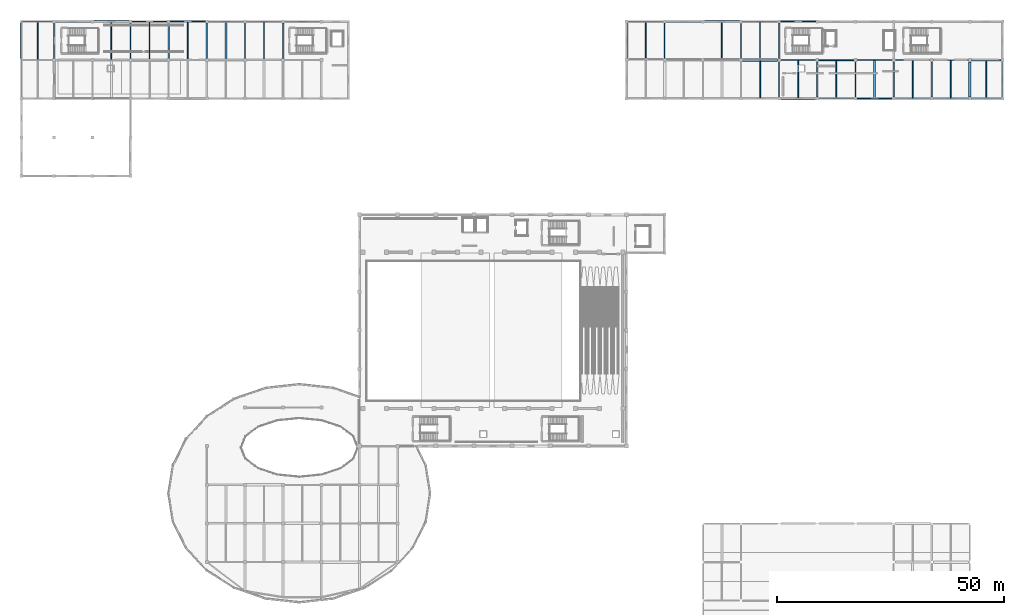
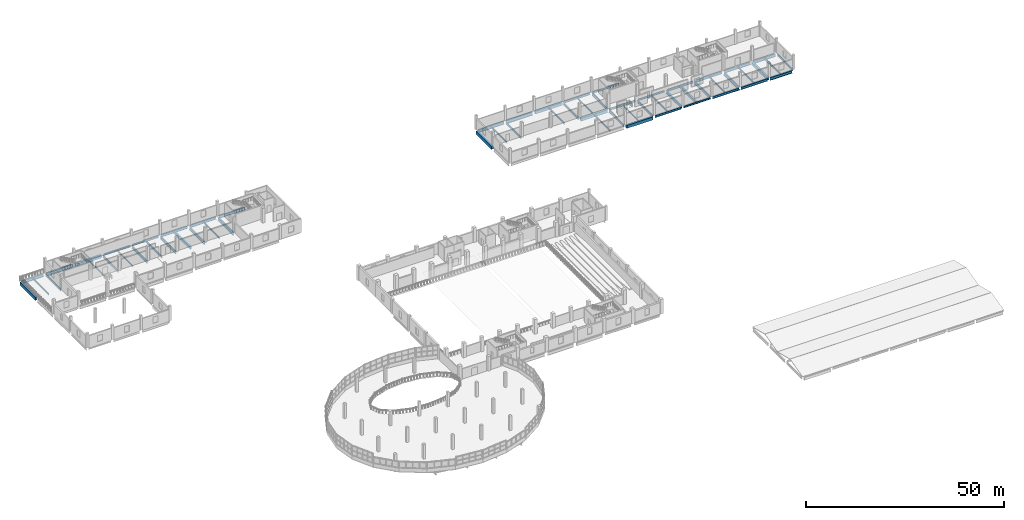
# One storey, part 30 of 50: 60 beams.
"""IFC4 building model written with IfcOpenShell, lengths in metres."""

import ifcopenshell
import ifcopenshell.guid

model = None  # the IFC model being written
_history = None  # IfcOwnerHistory: only IFC2X3 demands one
_inside = {}  # id of a spatial element -> (the spatial element, [elements in it])
_under = {}  # id of a project, library or spatial element -> (it, [spatial elements below it])
_declared = {}  # id of a project -> (the project, [libraries it declares])
_typed = {}  # id of a type object -> (the type object, [elements of that type])
_made_of = {}  # id of a material, layer set ... -> (it, [elements and type objects made of it])


def new_model(schema):
    """Start an empty IFC model of exactly this schema.

    Asked for "IFC4X3", IfcOpenShell would pick the latest addendum, in which some entities
    have other attributes; the version numbers below select the first issue.
    IFC2X3 requires an IfcOwnerHistory on every rooted entity: one is made here for all.
    """
    global model, _history
    if schema == "IFC4X3":
        model = ifcopenshell.file(schema_version=(4, 3, 0, 0))
    else:
        model = ifcopenshell.file(schema=schema)
    _inside.clear()
    _under.clear()
    _declared.clear()
    _typed.clear()
    _made_of.clear()
    _history = None
    if model.schema == "IFC2X3":
        org = make("IfcOrganization", Name="unknown")
        user = make(
            "IfcPersonAndOrganization",
            ThePerson=make("IfcPerson", FamilyName="unknown"),
            TheOrganization=org,
        )
        app = make(
            "IfcApplication",
            ApplicationDeveloper=org,
            Version="unknown",
            ApplicationFullName="unknown",
            ApplicationIdentifier="unknown",
        )
        _history = make(
            "IfcOwnerHistory",
            OwningUser=user,
            OwningApplication=app,
            ChangeAction="ADDED",
            CreationDate=0,
        )
    return model


def make(cls, **values):
    """One entity of the class cls with the attributes given. An attribute that is None is left unset."""
    return model.create_entity(
        cls, **{name: value for name, value in values.items() if value is not None}
    )


def rooted(cls, **values):
    """An entity with a GlobalId (a new one), such as an element, a storey or a relation."""
    return make(cls, GlobalId=ifcopenshell.guid.new(), OwnerHistory=_history, **values)


def si_unit(unit_type, name, prefix=None):
    """IfcSIUnit, for example si_unit("LENGTHUNIT", "METRE", prefix="MILLI")."""
    return make("IfcSIUnit", UnitType=unit_type, Prefix=prefix, Name=name)


def assignment(units):
    """IfcUnitAssignment: the units of a project."""
    return None if units is None else make("IfcUnitAssignment", Units=units)


def point(xyz):
    """IfcCartesianPoint."""
    return None if xyz is None else make("IfcCartesianPoint", Coordinates=xyz)


def direction(xyz):
    """IfcDirection."""
    return None if xyz is None else make("IfcDirection", DirectionRatios=xyz)


def frame(location, z_axis=None, x_axis=None):
    """IfcAxis2Placement3D, a coordinate frame: its origin and axes. An axis left out is left unset."""
    return make(
        "IfcAxis2Placement3D",
        Location=point(location),
        Axis=direction(z_axis),
        RefDirection=direction(x_axis),
    )


def frame_2d(location, x_axis=None):
    """IfcAxis2Placement2D, a coordinate frame in the plane: its origin and x axis."""
    return make(
        "IfcAxis2Placement2D", Location=point(location), RefDirection=direction(x_axis)
    )


def origin():
    """The frame at (0, 0, 0) with its axes left unset."""
    return frame((0.0, 0.0, 0.0))


def origin_2d():
    """The frame at (0, 0) in the plane with its x axis left unset."""
    return frame_2d((0.0, 0.0))


def place(relative_to, where):
    """IfcLocalPlacement: puts the frame where relative to a parent placement (None: the world)."""
    return make(
        "IfcLocalPlacement", PlacementRelTo=relative_to, RelativePlacement=where
    )


def context(
    kind, dimensions, precision=None, world=None, true_north=None, identifier=None
):
    """IfcGeometricRepresentationContext, for example the 3D "Model" context."""
    return make(
        "IfcGeometricRepresentationContext",
        ContextIdentifier=identifier,
        ContextType=kind,
        CoordinateSpaceDimension=dimensions,
        Precision=precision,
        WorldCoordinateSystem=world,
        TrueNorth=true_north,
    )


def subcontext(parent, identifier, kind, view, scale=None):
    """IfcGeometricRepresentationSubContext, for example "Body" below "Model"."""
    return make(
        "IfcGeometricRepresentationSubContext",
        ContextIdentifier=identifier,
        ContextType=kind,
        ParentContext=parent,
        TargetScale=scale,
        TargetView=view,
    )


def project(units=None, contexts=None):
    """IfcProject with its units and contexts."""
    return rooted(
        "IfcProject",
        Name="project",
        RepresentationContexts=contexts,
        UnitsInContext=assignment(units),
    )


def spatial(cls, under=None, at=None, **own):
    """A site, building, storey or space (cls), placed at a placement, below another one or the project."""
    s = rooted(cls, ObjectPlacement=at, **own)
    if under is not None:
        _under.setdefault(under.id(), (under, []))[1].append(s)
    return s


def profile(cls, at=None, kind="AREA", **sizes):
    """A parametric profile (cls). Its sizes go by their IFC names, for example OverallWidth=200.0."""
    return make(cls, ProfileType=kind, Position=at, **sizes)


def rectangle(**sizes):
    """IfcRectangleProfileDef."""
    return profile("IfcRectangleProfileDef", **sizes)


def i_section(**sizes):
    """IfcIShapeProfileDef."""
    return profile("IfcIShapeProfileDef", **sizes)


def extrude(swept, where, along, depth):
    """IfcExtrudedAreaSolid: the profile swept, set in the frame where, extruded along a direction by depth."""
    return make(
        "IfcExtrudedAreaSolid",
        SweptArea=swept,
        Position=where,
        ExtrudedDirection=direction(along),
        Depth=depth,
    )


def shape(context_of_items, identifier, shape_type, items):
    """IfcShapeRepresentation: the items that make up one representation, for example the "Body"."""
    return make(
        "IfcShapeRepresentation",
        ContextOfItems=context_of_items,
        RepresentationIdentifier=identifier,
        RepresentationType=shape_type,
        Items=items,
    )


def material(Name=None, Category=None):
    """IfcMaterial."""
    return make("IfcMaterial", Name=Name, Category=Category)


def material_profile(
    of_material, cross_section, Name=None, Category=None, Priority=None
):
    """IfcMaterialProfile: a cross section and its material."""
    return make(
        "IfcMaterialProfile",
        Name=Name,
        Material=of_material,
        Profile=cross_section,
        Priority=Priority,
        Category=Category,
    )


def profile_set(profiles, Name=None, composite=None):
    """IfcMaterialProfileSet."""
    return make(
        "IfcMaterialProfileSet",
        Name=Name,
        MaterialProfiles=profiles,
        CompositeProfile=composite,
    )


def made_of(thing, what):
    """Note that an element or type object is made of a material, layer set ...; save() writes the relation."""
    if what is not None:
        _made_of.setdefault(what.id(), (what, []))[1].append(thing)
    return thing


def type_object(cls, material=None, **own):
    """A type object (cls), such as IfcWallType, which elements share."""
    return made_of(rooted(cls, **own), material)


def element(
    cls,
    number,
    at=None,
    inside=None,
    cuts=None,
    type_object=None,
    material=None,
    context=None,
    identifier="Body",
    shape_type=None,
    held_by="IfcProductDefinitionShape",
    body=None,
    shapes=None,
    **own,
):
    """One element of the class cls, such as IfcWall. Its Tag is "e" and its number.

    at: its placement. inside: the storey or other place that contains it. cuts: it is an
    opening in that element (IfcRelVoidsElement). A single representation is given by context,
    identifier, shape_type and body (its items); several are given by shapes. held_by: the class
    of the entity that holds the representations. save() writes the other relations.
    """
    e = rooted(cls, Tag="e%d" % number, ObjectPlacement=at, **own)
    if body is not None:
        shapes = [shape(context, identifier, shape_type, body)]
    if shapes is not None:
        e.Representation = make(held_by, Representations=shapes)
    if inside is not None:
        _inside.setdefault(inside.id(), (inside, []))[1].append(e)
    if cuts is not None:
        rooted(
            "IfcRelVoidsElement", RelatingBuildingElement=cuts, RelatedOpeningElement=e
        )
    if type_object is not None:
        _typed.setdefault(type_object.id(), (type_object, []))[1].append(e)
    return made_of(e, material)


def aggregate(whole, parts):
    """IfcRelAggregates: a whole, such as a stair, and the parts it consists of."""
    return rooted("IfcRelAggregates", RelatingObject=whole, RelatedObjects=parts)


def save(model, path):
    """Write the relations noted so far, then the file.

    IfcRelAggregates (storeys below a building ...), IfcRelContainedInSpatialStructure (elements
    in a storey), IfcRelDefinesByType, IfcRelAssociatesMaterial and IfcRelDeclares: one each for
    every whole, place, type object, material and project.
    """
    for whole, parts in _under.values():
        aggregate(whole, parts)
    for where, things in _inside.values():
        rooted(
            "IfcRelContainedInSpatialStructure",
            RelatedElements=things,
            RelatingStructure=where,
        )
    for kind, things in _typed.values():
        rooted("IfcRelDefinesByType", RelatedObjects=things, RelatingType=kind)
    for what, things in _made_of.values():
        rooted("IfcRelAssociatesMaterial", RelatedObjects=things, RelatingMaterial=what)
    for by, libraries in _declared.values():
        rooted("IfcRelDeclares", RelatingContext=by, RelatedDefinitions=libraries)
    model.write(path)


model = new_model("IFC4")

# Units and contexts
model_context = context("Model", 3, precision=1e-05, world=origin(), true_north=direction((0.0, 1.0)))
body_context = subcontext(model_context, "Body", "Model", "MODEL_VIEW")
ifc_project = project(units=[si_unit("LENGTHUNIT", "METRE"), si_unit("AREAUNIT", "SQUARE_METRE"), si_unit("VOLUMEUNIT", "CUBIC_METRE"), si_unit("PLANEANGLEUNIT", "RADIAN"), si_unit("MASSUNIT", "GRAM", prefix="KILO")], contexts=[model_context])

# Site, building, storey
site_placement = place(None, origin())
site = spatial("IfcSite", under=ifc_project, at=site_placement, CompositionType="ELEMENT")
building_placement = place(site_placement, origin())
building = spatial("IfcBuilding", under=site, at=building_placement, Name="Solvento Point Concert Hall", CompositionType="ELEMENT")
storey_placement = place(building_placement, frame((0.0, 0.0, 15.0)))
storey = spatial("IfcBuildingStorey", under=building, at=storey_placement, Name="L03", CompositionType="ELEMENT", Elevation=15.0)

# Beams
ifc_material_1 = material(Name="Concrete C35/45", Category="concrete")
ifc_material_profile_1 = material_profile(ifc_material_1, rectangle(XDim=0.449951171875, YDim=0.75, at=origin_2d()), Name="RC-BM-450X750")
ifc_profile_set_1 = profile_set([ifc_material_profile_1], Name="Concrete C35/45")
beam_type_1 = type_object("IfcBeamType", Name="Beam_RC_450x750", PredefinedType="BEAM", material=ifc_profile_set_1)
for number, where, z_axis, x_axis, name in (
    (1, (45.0, 127.592041015625, -0.68896484375), (0.0, 1.0, 0.0), (-1.0, 0.0, 0.0), "Secondary floor joist B-28 L03"),
    (2, (187.800048828125, 119.092041015625, -0.638916015625), (0.0, 1.0, 0.0), (-1.0, 0.0, 0.0), "Secondary floor joist B-28 L03"),
):
    element("IfcBeam", number, at=place(storey_placement, frame(where, z_axis=z_axis, x_axis=x_axis)), inside=storey, type_object=beam_type_1, Name=name, PredefinedType="BEAM", context=body_context, shape_type="SweptSolid", body=[
        extrude(rectangle(XDim=0.449951171875, YDim=0.75, at=origin_2d()), origin(), (0.0, 0.0, 1.0), 8.294921875),
    ])
ifc_material_2 = material(Name="Structural Steel ASTM A992 Grade 50", Category="steel")
ifc_material_profile_2 = material_profile(ifc_material_2, i_section(OverallWidth=0.20947265625, OverallDepth=0.532958984375, WebThickness=0.01025390625, FlangeThickness=0.015625, at=origin_2d()), Name="W21X62")
ifc_profile_set_2 = profile_set([ifc_material_profile_2], Name="Structural Steel ASTM A992 Grade 50")
beam_type_2 = type_object("IfcBeamType", Name="Beam_W21X62", PredefinedType="BEAM", material=ifc_profile_set_2)
beam_1_placement = place(storey_placement, frame((3.60009765625, 127.631103515625, -0.510498046875), z_axis=(0.0, 1.0, 0.0), x_axis=(-1.0, 0.0, 0.0)))
element("IfcBeam", 3, at=beam_1_placement, inside=storey, type_object=beam_type_2, Name="Secondary floor joist B-25 L03", PredefinedType="BEAM", context=body_context, shape_type="SweptSolid", body=[
    extrude(i_section(OverallWidth=0.20947265625, OverallDepth=0.532958984375, WebThickness=0.01025390625, FlangeThickness=0.015625, at=origin_2d()), origin(), (0.0, 0.0, 1.0), 8.22998046875),
])
beam_2_placement = place(storey_placement, frame((36.60009765625, 127.59912109375, -0.58056640625), z_axis=(0.0, 1.0, 0.0), x_axis=(-1.0, 0.0, 0.0)))
element("IfcBeam", 4, at=beam_2_placement, inside=storey, type_object=beam_type_2, Name="Secondary floor joist B-25 L03", PredefinedType="BEAM", context=body_context, shape_type="SweptSolid", body=[
    extrude(i_section(OverallWidth=0.20947265625, OverallDepth=0.532958984375, WebThickness=0.01025390625, FlangeThickness=0.015625, at=origin_2d()), origin(), (0.0, 0.0, 1.0), 8.308837890625),
])
beam_3_placement = place(storey_placement, frame((137.39990234375, 127.631103515625, -0.530517578125), z_axis=(0.0, 1.0, 0.0), x_axis=(-1.0, 0.0, 0.0)))
element("IfcBeam", 5, at=beam_3_placement, inside=storey, type_object=beam_type_2, Name="Secondary floor joist B-25 L03", PredefinedType="BEAM", context=body_context, shape_type="SweptSolid", body=[
    extrude(i_section(OverallWidth=0.20947265625, OverallDepth=0.532958984375, WebThickness=0.01025390625, FlangeThickness=0.015625, at=origin_2d()), origin(), (0.0, 0.0, 1.0), 8.22998046875),
])
beam_4_placement = place(storey_placement, frame((179.39990234375, 119.09912109375, -0.530517578125), z_axis=(0.0, 1.0, 0.0), x_axis=(-1.0, 0.0, 0.0)))
element("IfcBeam", 6, at=beam_4_placement, inside=storey, type_object=beam_type_2, Name="Secondary floor joist B-25 L03", PredefinedType="BEAM", context=body_context, shape_type="SweptSolid", body=[
    extrude(i_section(OverallWidth=0.20947265625, OverallDepth=0.532958984375, WebThickness=0.01025390625, FlangeThickness=0.015625, at=origin_2d()), origin(), (0.0, 0.0, 1.0), 8.308837890625),
])
beam_5_placement = place(storey_placement, frame((212.39990234375, 119.131103515625, -0.530517578125), z_axis=(0.0, 1.0, 0.0), x_axis=(-1.0, 0.0, 0.0)))
element("IfcBeam", 7, at=beam_5_placement, inside=storey, type_object=beam_type_2, Name="Secondary floor joist B-25 L03", PredefinedType="BEAM", context=body_context, shape_type="SweptSolid", body=[
    extrude(i_section(OverallWidth=0.20947265625, OverallDepth=0.532958984375, WebThickness=0.01025390625, FlangeThickness=0.015625, at=origin_2d()), origin(), (0.0, 0.0, 1.0), 8.22998046875),
])
ifc_material_3 = material(Name="Structural Steel ASTM A992 Grade 50", Category="steel")
ifc_material_profile_3 = material_profile(ifc_material_3, i_section(OverallWidth=0.214111328125, OverallDepth=0.549072265625, WebThickness=0.0146484375, FlangeThickness=0.023681640625, at=origin_2d()), Name="W21X93")
ifc_profile_set_3 = profile_set([ifc_material_profile_3], Name="Structural Steel ASTM A992 Grade 50")
beam_type_3 = type_object("IfcBeamType", Name="Beam_W21X93", PredefinedType="BEAM", material=ifc_profile_set_3)
beam_6_placement = place(storey_placement, frame((183.968994140625, 119.0, -0.53857421875), z_axis=(1.0, 0.0, 0.0), x_axis=(0.0, 1.0, 0.0)))
element("IfcBeam", 8, at=beam_6_placement, inside=storey, type_object=beam_type_3, Name="Primary girder B-48 L03", PredefinedType="BEAM", context=body_context, shape_type="SweptSolid", body=[
    extrude(i_section(OverallWidth=0.214111328125, OverallDepth=0.549072265625, WebThickness=0.0146484375, FlangeThickness=0.023681640625, at=origin_2d()), origin(), (0.0, 0.0, 1.0), 7.662109375),
])
beam_7_placement = place(storey_placement, frame((175.569091796875, 127.5, -0.53857421875), z_axis=(1.0, 0.0, 0.0), x_axis=(0.0, 1.0, 0.0)))
element("IfcBeam", 9, at=beam_7_placement, inside=storey, type_object=beam_type_3, Name="Primary girder B-48 L03", PredefinedType="BEAM", context=body_context, shape_type="SweptSolid", body=[
    extrude(i_section(OverallWidth=0.214111328125, OverallDepth=0.549072265625, WebThickness=0.0146484375, FlangeThickness=0.023681640625, at=origin_2d()), origin(), (0.0, 0.0, 1.0), 7.661865234375),
])
beam_8_placement = place(storey_placement, frame((32.64404296875, 136.0, -0.58837890625), z_axis=(1.0, 0.0, 0.0), x_axis=(0.0, 1.0, 0.0)))
element("IfcBeam", 10, at=beam_8_placement, inside=storey, type_object=beam_type_3, Name="Primary girder B-48 L03", PredefinedType="BEAM", context=body_context, shape_type="SweptSolid", body=[
    extrude(i_section(OverallWidth=0.214111328125, OverallDepth=0.549072265625, WebThickness=0.0146484375, FlangeThickness=0.023681640625, at=origin_2d()), origin(), (0.0, 0.0, 1.0), 7.786865234375),
])
beam_9_placement = place(storey_placement, frame((167.1689453125, 136.0, -0.53857421875), z_axis=(1.0, 0.0, 0.0), x_axis=(0.0, 1.0, 0.0)))
element("IfcBeam", 11, at=beam_9_placement, inside=storey, type_object=beam_type_3, Name="Primary girder B-48 L03", PredefinedType="BEAM", context=body_context, shape_type="SweptSolid", body=[
    extrude(i_section(OverallWidth=0.214111328125, OverallDepth=0.549072265625, WebThickness=0.0146484375, FlangeThickness=0.023681640625, at=origin_2d()), origin(), (0.0, 0.0, 1.0), 7.662109375),
])
ifc_material_4 = material(Name="Structural Steel ASTM A992 Grade 50", Category="steel")
ifc_material_profile_4 = material_profile(ifc_material_4, i_section(OverallWidth=0.228515625, OverallDepth=0.60791015625, WebThickness=0.01123046875, FlangeThickness=0.017333984375, at=origin_2d()), Name="W24X76")
ifc_profile_set_4 = profile_set([ifc_material_profile_4], Name="Structural Steel ASTM A992 Grade 50")
beam_type_4 = type_object("IfcBeamType", Name="Beam_W24X76", PredefinedType="BEAM", material=ifc_profile_set_4)
beam_10_placement = place(storey_placement, frame((175.569091796875, 119.0, -0.568115234375), z_axis=(1.0, 0.0, 0.0), x_axis=(0.0, 1.0, 0.0)))
element("IfcBeam", 12, at=beam_10_placement, inside=storey, type_object=beam_type_4, Name="Primary girder B-42 L03", PredefinedType="BEAM", context=body_context, shape_type="SweptSolid", body=[
    extrude(i_section(OverallWidth=0.228515625, OverallDepth=0.60791015625, WebThickness=0.01123046875, FlangeThickness=0.017333984375, at=origin_2d()), origin(), (0.0, 0.0, 1.0), 7.661865234375),
])
beam_11_placement = place(storey_placement, frame((167.1689453125, 127.5, -0.568115234375), z_axis=(1.0, 0.0, 0.0), x_axis=(0.0, 1.0, 0.0)))
element("IfcBeam", 13, at=beam_11_placement, inside=storey, type_object=beam_type_4, Name="Primary girder B-42 L03", PredefinedType="BEAM", context=body_context, shape_type="SweptSolid", body=[
    extrude(i_section(OverallWidth=0.228515625, OverallDepth=0.60791015625, WebThickness=0.01123046875, FlangeThickness=0.017333984375, at=origin_2d()), origin(), (0.0, 0.0, 1.0), 7.662109375),
])
beam_12_placement = place(storey_placement, frame((24.368896484375, 136.0, -0.617919921875), z_axis=(1.0, 0.0, 0.0), x_axis=(0.0, 1.0, 0.0)))
element("IfcBeam", 14, at=beam_12_placement, inside=storey, type_object=beam_type_4, Name="Primary girder B-42 L03", PredefinedType="BEAM", context=body_context, shape_type="SweptSolid", body=[
    extrude(i_section(OverallWidth=0.228515625, OverallDepth=0.60791015625, WebThickness=0.01123046875, FlangeThickness=0.017333984375, at=origin_2d()), origin(), (0.0, 0.0, 1.0), 7.787109375),
])
beam_13_placement = place(storey_placement, frame((158.64404296875, 136.0, -0.568115234375), z_axis=(1.0, 0.0, 0.0), x_axis=(0.0, 1.0, 0.0)))
element("IfcBeam", 15, at=beam_13_placement, inside=storey, type_object=beam_type_4, Name="Primary girder B-42 L03", PredefinedType="BEAM", context=body_context, shape_type="SweptSolid", body=[
    extrude(i_section(OverallWidth=0.228515625, OverallDepth=0.60791015625, WebThickness=0.01123046875, FlangeThickness=0.017333984375, at=origin_2d()), origin(), (0.0, 0.0, 1.0), 7.786865234375),
])
for number, where, z_axis, x_axis, name in (
    (16, (7.199951171875, 127.868896484375, -0.617919921875), (0.0, 1.0, 0.0), (-1.0, 0.0, 0.0), "Primary girder B-42 L03"),
    (17, (141.60009765625, 127.868896484375, -0.568115234375), (0.0, 1.0, 0.0), (-1.0, 0.0, 0.0), "Primary girder B-42 L03"),
    (18, (216.0, 119.368896484375, -0.568115234375), (0.0, 1.0, 0.0), (-1.0, 0.0, 0.0), "Primary girder B-42 L03"),
):
    element("IfcBeam", number, at=place(storey_placement, frame(where, z_axis=z_axis, x_axis=x_axis)), inside=storey, type_object=beam_type_4, Name=name, PredefinedType="BEAM", context=body_context, shape_type="SweptSolid", body=[
        extrude(i_section(OverallWidth=0.228515625, OverallDepth=0.60791015625, WebThickness=0.01123046875, FlangeThickness=0.017333984375, at=origin_2d()), origin(), (0.0, 0.0, 1.0), 7.76220703125),
    ])
ifc_material_5 = material(Name="Concrete C35/45", Category="concrete")
ifc_material_profile_5 = material_profile(ifc_material_5, rectangle(XDim=0.550048828125, YDim=0.89990234375, at=origin_2d()), Name="RC-BM-550X900")
ifc_profile_set_5 = profile_set([ifc_material_profile_5], Name="Concrete C35/45")
beam_type_5 = type_object("IfcBeamType", Name="Girder_RC_550x900", PredefinedType="USERDEFINED", material=ifc_profile_set_5)
beam_14_placement = place(storey_placement, frame((167.1689453125, 119.0, -0.714111328125), z_axis=(1.0, 0.0, 0.0), x_axis=(0.0, 1.0, 0.0)))
element("IfcBeam", 19, at=beam_14_placement, inside=storey, type_object=beam_type_5, Name="Primary girder B-39 L03", ObjectType="GIRDER", PredefinedType="USERDEFINED", context=body_context, shape_type="SweptSolid", body=[
    extrude(rectangle(XDim=0.550048828125, YDim=0.89990234375, at=origin_2d()), origin(), (0.0, 0.0, 1.0), 7.662109375),
])
beam_15_placement = place(storey_placement, frame((158.76904296875, 127.5, -0.714111328125), z_axis=(1.0, 0.0, 0.0), x_axis=(0.0, 1.0, 0.0)))
element("IfcBeam", 20, at=beam_15_placement, inside=storey, type_object=beam_type_5, Name="Primary girder B-39 L03", ObjectType="GIRDER", PredefinedType="USERDEFINED", context=body_context, shape_type="SweptSolid", body=[
    extrude(rectangle(XDim=0.550048828125, YDim=0.89990234375, at=origin_2d()), origin(), (0.0, 0.0, 1.0), 7.661865234375),
])
beam_16_placement = place(storey_placement, frame((15.968994140625, 136.0, -0.763916015625), z_axis=(1.0, 0.0, 0.0), x_axis=(0.0, 1.0, 0.0)))
element("IfcBeam", 21, at=beam_16_placement, inside=storey, type_object=beam_type_5, Name="Primary girder B-39 L03", ObjectType="GIRDER", PredefinedType="USERDEFINED", context=body_context, shape_type="SweptSolid", body=[
    extrude(rectangle(XDim=0.550048828125, YDim=0.89990234375, at=origin_2d()), origin(), (0.0, 0.0, 1.0), 7.662109375),
])
beam_17_placement = place(storey_placement, frame((150.368896484375, 136.0, -0.714111328125), z_axis=(1.0, 0.0, 0.0), x_axis=(0.0, 1.0, 0.0)))
element("IfcBeam", 22, at=beam_17_placement, inside=storey, type_object=beam_type_5, Name="Primary girder B-39 L03", ObjectType="GIRDER", PredefinedType="USERDEFINED", context=body_context, shape_type="SweptSolid", body=[
    extrude(rectangle(XDim=0.550048828125, YDim=0.89990234375, at=origin_2d()), origin(), (0.0, 0.0, 1.0), 7.787109375),
])
for number, where, z_axis, x_axis, name in (
    (23, (0.0, 127.868896484375, -0.694091796875), (0.0, 1.0, 0.0), (-1.0, 0.0, 0.0), "Primary girder B-39 L03"),
    (24, (133.199951171875, 127.868896484375, -0.714111328125), (0.0, 1.0, 0.0), (-1.0, 0.0, 0.0), "Primary girder B-39 L03"),
    (25, (208.800048828125, 119.368896484375, -0.714111328125), (0.0, 1.0, 0.0), (-1.0, 0.0, 0.0), "Primary girder B-39 L03"),
):
    element("IfcBeam", number, at=place(storey_placement, frame(where, z_axis=z_axis, x_axis=x_axis)), inside=storey, type_object=beam_type_5, Name=name, ObjectType="GIRDER", PredefinedType="USERDEFINED", context=body_context, shape_type="SweptSolid", body=[
        extrude(rectangle(XDim=0.550048828125, YDim=0.89990234375, at=origin_2d()), origin(), (0.0, 0.0, 1.0), 7.76220703125),
    ])
ifc_material_6 = material(Name="Structural Steel ASTM A992 Grade 50", Category="steel")
ifc_material_profile_6 = material_profile(ifc_material_6, i_section(OverallWidth=0.256103515625, OverallDepth=0.693115234375, WebThickness=0.014404296875, FlangeThickness=0.023681640625, at=origin_2d()), Name="W27X114")
ifc_profile_set_6 = profile_set([ifc_material_profile_6], Name="Structural Steel ASTM A992 Grade 50")
beam_type_6 = type_object("IfcBeamType", Name="Girder_W27X114", PredefinedType="USERDEFINED", material=ifc_profile_set_6)
beam_18_placement = place(storey_placement, frame((192.368896484375, 119.0, -0.610595703125), z_axis=(1.0, 0.0, 0.0), x_axis=(0.0, 1.0, 0.0)))
element("IfcBeam", 26, at=beam_18_placement, inside=storey, type_object=beam_type_6, Name="Primary girder B-23 L03", ObjectType="GIRDER", PredefinedType="USERDEFINED", context=body_context, shape_type="SweptSolid", body=[
    extrude(i_section(OverallWidth=0.256103515625, OverallDepth=0.693115234375, WebThickness=0.014404296875, FlangeThickness=0.023681640625, at=origin_2d()), origin(), (0.0, 0.0, 1.0), 7.787109375),
])
for number, where, z_axis, x_axis, name in (
    (27, (183.968994140625, 127.5, -0.610595703125), (1.0, 0.0, 0.0), (0.0, 1.0, 0.0), "Primary girder B-23 L03"),
    (28, (41.1689453125, 136.0, -0.660400390625), (1.0, 0.0, 0.0), (0.0, 1.0, 0.0), "Primary girder B-23 L03"),
):
    element("IfcBeam", number, at=place(storey_placement, frame(where, z_axis=z_axis, x_axis=x_axis)), inside=storey, type_object=beam_type_6, Name=name, ObjectType="GIRDER", PredefinedType="USERDEFINED", context=body_context, shape_type="SweptSolid", body=[
        extrude(i_section(OverallWidth=0.256103515625, OverallDepth=0.693115234375, WebThickness=0.014404296875, FlangeThickness=0.023681640625, at=origin_2d()), origin(), (0.0, 0.0, 1.0), 7.662109375),
    ])
beam_19_placement = place(storey_placement, frame((24.0, 127.868896484375, -0.660400390625), z_axis=(0.0, 1.0, 0.0), x_axis=(-1.0, 0.0, 0.0)))
element("IfcBeam", 29, at=beam_19_placement, inside=storey, type_object=beam_type_6, Name="Primary girder B-23 L03", ObjectType="GIRDER", PredefinedType="USERDEFINED", context=body_context, shape_type="SweptSolid", body=[
    extrude(i_section(OverallWidth=0.256103515625, OverallDepth=0.693115234375, WebThickness=0.014404296875, FlangeThickness=0.023681640625, at=origin_2d()), origin(), (0.0, 0.0, 1.0), 7.76220703125),
])
beam_20_placement = place(storey_placement, frame((158.39990234375, 127.868896484375, -0.610595703125), z_axis=(0.0, 1.0, 0.0), x_axis=(-1.0, 0.0, 0.0)))
element("IfcBeam", 30, at=beam_20_placement, inside=storey, type_object=beam_type_6, Name="Primary girder B-23 L03", ObjectType="GIRDER", PredefinedType="USERDEFINED", context=body_context, shape_type="SweptSolid", body=[
    extrude(i_section(OverallWidth=0.256103515625, OverallDepth=0.693115234375, WebThickness=0.014404296875, FlangeThickness=0.023681640625, at=origin_2d()), origin(), (0.0, 0.0, 1.0), 7.737060546875),
])
beam_21_placement = place(storey_placement, frame((166.800048828125, 119.368896484375, -0.610595703125), z_axis=(0.0, 1.0, 0.0), x_axis=(-1.0, 0.0, 0.0)))
element("IfcBeam", 31, at=beam_21_placement, inside=storey, type_object=beam_type_6, Name="Primary girder B-23 L03", ObjectType="GIRDER", PredefinedType="USERDEFINED", context=body_context, shape_type="SweptSolid", body=[
    extrude(i_section(OverallWidth=0.256103515625, OverallDepth=0.693115234375, WebThickness=0.014404296875, FlangeThickness=0.023681640625, at=origin_2d()), origin(), (0.0, 0.0, 1.0), 7.76220703125),
])
ifc_material_7 = material(Name="Structural Steel ASTM A992 Grade 50", Category="steel")
ifc_material_profile_7 = material_profile(ifc_material_7, i_section(OverallWidth=0.26806640625, OverallDepth=0.77001953125, WebThickness=0.015625, FlangeThickness=0.025390625, at=origin_2d()), Name="W30X132")
ifc_profile_set_7 = profile_set([ifc_material_profile_7], Name="Structural Steel ASTM A992 Grade 50")
beam_type_7 = type_object("IfcBeamType", Name="Girder_W30X132", PredefinedType="USERDEFINED", material=ifc_profile_set_7)
beam_22_placement = place(storey_placement, frame((200.64404296875, 119.0, -0.64892578125), z_axis=(1.0, 0.0, 0.0), x_axis=(0.0, 1.0, 0.0)))
element("IfcBeam", 32, at=beam_22_placement, inside=storey, type_object=beam_type_7, Name="Primary girder B-68 L03", ObjectType="GIRDER", PredefinedType="USERDEFINED", context=body_context, shape_type="SweptSolid", body=[
    extrude(i_section(OverallWidth=0.26806640625, OverallDepth=0.77001953125, WebThickness=0.015625, FlangeThickness=0.025390625, at=origin_2d()), origin(), (0.0, 0.0, 1.0), 7.786865234375),
])
beam_23_placement = place(storey_placement, frame((192.368896484375, 127.5, -0.64892578125), z_axis=(1.0, 0.0, 0.0), x_axis=(0.0, 1.0, 0.0)))
element("IfcBeam", 33, at=beam_23_placement, inside=storey, type_object=beam_type_7, Name="Primary girder B-68 L03", ObjectType="GIRDER", PredefinedType="USERDEFINED", context=body_context, shape_type="SweptSolid", body=[
    extrude(i_section(OverallWidth=0.26806640625, OverallDepth=0.77001953125, WebThickness=0.015625, FlangeThickness=0.025390625, at=origin_2d()), origin(), (0.0, 0.0, 1.0), 7.662109375),
])
beam_24_placement = place(storey_placement, frame((49.569091796875, 136.0, -0.698974609375), z_axis=(1.0, 0.0, 0.0), x_axis=(0.0, 1.0, 0.0)))
element("IfcBeam", 34, at=beam_24_placement, inside=storey, type_object=beam_type_7, Name="Primary girder B-68 L03", ObjectType="GIRDER", PredefinedType="USERDEFINED", context=body_context, shape_type="SweptSolid", body=[
    extrude(i_section(OverallWidth=0.26806640625, OverallDepth=0.77001953125, WebThickness=0.015625, FlangeThickness=0.025390625, at=origin_2d()), origin(), (0.0, 0.0, 1.0), 7.661865234375),
])
beam_25_placement = place(storey_placement, frame((32.39990234375, 127.7255859375, -0.698974609375), z_axis=(0.0, 1.0, 0.0), x_axis=(-1.0, 0.0, 0.0)))
element("IfcBeam", 35, at=beam_25_placement, inside=storey, type_object=beam_type_7, Name="Primary girder B-68 L03", ObjectType="GIRDER", PredefinedType="USERDEFINED", context=body_context, shape_type="SweptSolid", body=[
    extrude(i_section(OverallWidth=0.26806640625, OverallDepth=0.77001953125, WebThickness=0.015625, FlangeThickness=0.025390625, at=origin_2d()), origin(), (0.0, 0.0, 1.0), 7.88037109375),
])
for number, where, z_axis, x_axis, name in (
    (36, (166.800048828125, 127.868896484375, -0.64892578125), (0.0, 1.0, 0.0), (-1.0, 0.0, 0.0), "Primary girder B-68 L03"),
    (37, (175.199951171875, 119.368896484375, -0.64892578125), (0.0, 1.0, 0.0), (-1.0, 0.0, 0.0), "Primary girder B-68 L03"),
):
    element("IfcBeam", number, at=place(storey_placement, frame(where, z_axis=z_axis, x_axis=x_axis)), inside=storey, type_object=beam_type_7, Name=name, ObjectType="GIRDER", PredefinedType="USERDEFINED", context=body_context, shape_type="SweptSolid", body=[
        extrude(i_section(OverallWidth=0.26806640625, OverallDepth=0.77001953125, WebThickness=0.015625, FlangeThickness=0.025390625, at=origin_2d()), origin(), (0.0, 0.0, 1.0), 7.76220703125),
    ])
ifc_material_8 = material(Name="Structural Steel ASTM A992 Grade 50", Category="steel")
ifc_material_profile_8 = material_profile(ifc_material_8, i_section(OverallWidth=0.2919921875, OverallDepth=0.85888671875, WebThickness=0.01708984375, FlangeThickness=0.031005859375, at=origin_2d()), Name="W33X169")
ifc_profile_set_8 = profile_set([ifc_material_profile_8], Name="Structural Steel ASTM A992 Grade 50")
beam_type_8 = type_object("IfcBeamType", Name="Girder_W33X169", PredefinedType="USERDEFINED", material=ifc_profile_set_8)
beam_26_placement = place(storey_placement, frame((209.1689453125, 119.0, -0.693603515625), z_axis=(1.0, 0.0, 0.0), x_axis=(0.0, 1.0, 0.0)))
element("IfcBeam", 38, at=beam_26_placement, inside=storey, type_object=beam_type_8, Name="Primary girder B-33 L03", ObjectType="GIRDER", PredefinedType="USERDEFINED", context=body_context, shape_type="SweptSolid", body=[
    extrude(i_section(OverallWidth=0.2919921875, OverallDepth=0.85888671875, WebThickness=0.01708984375, FlangeThickness=0.031005859375, at=origin_2d()), origin(), (0.0, 0.0, 1.0), 6.462158203125),
])
beam_27_placement = place(storey_placement, frame((200.76904296875, 127.5, -0.693603515625), z_axis=(1.0, 0.0, 0.0), x_axis=(0.0, 1.0, 0.0)))
element("IfcBeam", 39, at=beam_27_placement, inside=storey, type_object=beam_type_8, Name="Primary girder B-33 L03", ObjectType="GIRDER", PredefinedType="USERDEFINED", context=body_context, shape_type="SweptSolid", body=[
    extrude(i_section(OverallWidth=0.2919921875, OverallDepth=0.85888671875, WebThickness=0.01708984375, FlangeThickness=0.031005859375, at=origin_2d()), origin(), (0.0, 0.0, 1.0), 7.661865234375),
])
beam_28_placement = place(storey_placement, frame((57.968994140625, 136.0, -0.743408203125), z_axis=(1.0, 0.0, 0.0), x_axis=(0.0, 1.0, 0.0)))
element("IfcBeam", 40, at=beam_28_placement, inside=storey, type_object=beam_type_8, Name="Primary girder B-33 L03", ObjectType="GIRDER", PredefinedType="USERDEFINED", context=body_context, shape_type="SweptSolid", body=[
    extrude(i_section(OverallWidth=0.2919921875, OverallDepth=0.85888671875, WebThickness=0.01708984375, FlangeThickness=0.031005859375, at=origin_2d()), origin(), (0.0, 0.0, 1.0), 7.662109375),
])
for number, where, z_axis, x_axis, name in (
    (41, (40.800048828125, 127.868896484375, -0.743408203125), (0.0, 1.0, 0.0), (-1.0, 0.0, 0.0), "Primary girder B-33 L03"),
    (42, (183.60009765625, 119.368896484375, -0.693603515625), (0.0, 1.0, 0.0), (-1.0, 0.0, 0.0), "Primary girder B-33 L03"),
):
    element("IfcBeam", number, at=place(storey_placement, frame(where, z_axis=z_axis, x_axis=x_axis)), inside=storey, type_object=beam_type_8, Name=name, ObjectType="GIRDER", PredefinedType="USERDEFINED", context=body_context, shape_type="SweptSolid", body=[
        extrude(i_section(OverallWidth=0.2919921875, OverallDepth=0.85888671875, WebThickness=0.01708984375, FlangeThickness=0.031005859375, at=origin_2d()), origin(), (0.0, 0.0, 1.0), 7.76220703125),
    ])
ifc_material_9 = material(Name="Structural Steel ASTM A992 Grade 50", Category="steel")
ifc_material_profile_9 = material_profile(ifc_material_9, i_section(OverallWidth=0.3076171875, OverallDepth=0.927001953125, WebThickness=0.019287109375, FlangeThickness=0.031982421875, at=origin_2d()), Name="W36X194")
ifc_profile_set_9 = profile_set([ifc_material_profile_9], Name="Structural Steel ASTM A992 Grade 50")
beam_type_9 = type_object("IfcBeamType", Name="Girder_W36X194", PredefinedType="USERDEFINED", material=ifc_profile_set_9)
for number, where, z_axis, x_axis, name in (
    (43, (209.1689453125, 127.5, -0.7275390625), (1.0, 0.0, 0.0), (0.0, 1.0, 0.0), "Primary girder B-61 L03"),
    (44, (0.368896484375, 136.0, -0.70751953125), (1.0, 0.0, 0.0), (0.0, 1.0, 0.0), "Primary girder B-61 L03"),
):
    element("IfcBeam", number, at=place(storey_placement, frame(where, z_axis=z_axis, x_axis=x_axis)), inside=storey, type_object=beam_type_9, Name=name, ObjectType="GIRDER", PredefinedType="USERDEFINED", context=body_context, shape_type="SweptSolid", body=[
        extrude(i_section(OverallWidth=0.3076171875, OverallDepth=0.927001953125, WebThickness=0.019287109375, FlangeThickness=0.031982421875, at=origin_2d()), origin(), (0.0, 0.0, 1.0), 6.462158203125),
    ])
beam_29_placement = place(storey_placement, frame((133.569091796875, 136.0, -0.7275390625), z_axis=(1.0, 0.0, 0.0), x_axis=(0.0, 1.0, 0.0)))
element("IfcBeam", 45, at=beam_29_placement, inside=storey, type_object=beam_type_9, Name="Primary girder B-61 L03", ObjectType="GIRDER", PredefinedType="USERDEFINED", context=body_context, shape_type="SweptSolid", body=[
    extrude(i_section(OverallWidth=0.3076171875, OverallDepth=0.927001953125, WebThickness=0.019287109375, FlangeThickness=0.031982421875, at=origin_2d()), origin(), (0.0, 0.0, 1.0), 7.661865234375),
])
for number, where, z_axis, x_axis, name in (
    (46, (49.199951171875, 127.868896484375, -0.777587890625), (0.0, 1.0, 0.0), (-1.0, 0.0, 0.0), "Primary girder B-61 L03"),
    (47, (192.0, 119.368896484375, -0.7275390625), (0.0, 1.0, 0.0), (-1.0, 0.0, 0.0), "Primary girder B-61 L03"),
):
    element("IfcBeam", number, at=place(storey_placement, frame(where, z_axis=z_axis, x_axis=x_axis)), inside=storey, type_object=beam_type_9, Name=name, ObjectType="GIRDER", PredefinedType="USERDEFINED", context=body_context, shape_type="SweptSolid", body=[
        extrude(i_section(OverallWidth=0.3076171875, OverallDepth=0.927001953125, WebThickness=0.019287109375, FlangeThickness=0.031982421875, at=origin_2d()), origin(), (0.0, 0.0, 1.0), 7.76220703125),
    ])
ifc_material_10 = material(Name="Structural Steel ASTM A992 Grade 50", Category="steel")
ifc_material_profile_10 = material_profile(ifc_material_10, i_section(OverallWidth=0.361083984375, OverallDepth=1.02587890625, WebThickness=0.01904296875, FlangeThickness=0.0361328125, at=origin_2d()), Name="W40X249")
ifc_profile_set_10 = profile_set([ifc_material_profile_10], Name="Structural Steel ASTM A992 Grade 50")
beam_type_10 = type_object("IfcBeamType", Name="Girder_W40X249", PredefinedType="USERDEFINED", material=ifc_profile_set_10)
beam_30_placement = place(storey_placement, frame((7.569091796875, 136.0, -0.826904296875), z_axis=(1.0, 0.0, 0.0), x_axis=(0.0, 1.0, 0.0)))
element("IfcBeam", 48, at=beam_30_placement, inside=storey, type_object=beam_type_10, Name="Primary girder B-29 L03", ObjectType="GIRDER", PredefinedType="USERDEFINED", context=body_context, shape_type="SweptSolid", body=[
    extrude(i_section(OverallWidth=0.361083984375, OverallDepth=1.02587890625, WebThickness=0.01904296875, FlangeThickness=0.0361328125, at=origin_2d()), origin(), (0.0, 0.0, 1.0), 7.661865234375),
])
beam_31_placement = place(storey_placement, frame((141.968994140625, 136.0, -0.777099609375), z_axis=(1.0, 0.0, 0.0), x_axis=(0.0, 1.0, 0.0)))
element("IfcBeam", 49, at=beam_31_placement, inside=storey, type_object=beam_type_10, Name="Primary girder B-29 L03", ObjectType="GIRDER", PredefinedType="USERDEFINED", context=body_context, shape_type="SweptSolid", body=[
    extrude(i_section(OverallWidth=0.361083984375, OverallDepth=1.02587890625, WebThickness=0.01904296875, FlangeThickness=0.0361328125, at=origin_2d()), origin(), (0.0, 0.0, 1.0), 7.662109375),
])
beam_32_placement = place(storey_placement, frame((57.60009765625, 127.868896484375, -0.826904296875), z_axis=(0.0, 1.0, 0.0), x_axis=(-1.0, 0.0, 0.0)))
element("IfcBeam", 50, at=beam_32_placement, inside=storey, type_object=beam_type_10, Name="Primary girder B-29 L03", ObjectType="GIRDER", PredefinedType="USERDEFINED", context=body_context, shape_type="SweptSolid", body=[
    extrude(i_section(OverallWidth=0.361083984375, OverallDepth=1.02587890625, WebThickness=0.01904296875, FlangeThickness=0.0361328125, at=origin_2d()), origin(), (0.0, 0.0, 1.0), 7.76220703125),
])
beam_33_placement = place(storey_placement, frame((200.39990234375, 119.39404296875, -0.777099609375), z_axis=(0.0, 1.0, 0.0), x_axis=(-1.0, 0.0, 0.0)))
element("IfcBeam", 51, at=beam_33_placement, inside=storey, type_object=beam_type_10, Name="Primary girder B-29 L03", ObjectType="GIRDER", PredefinedType="USERDEFINED", context=body_context, shape_type="SweptSolid", body=[
    extrude(i_section(OverallWidth=0.361083984375, OverallDepth=1.02587890625, WebThickness=0.01904296875, FlangeThickness=0.0361328125, at=origin_2d()), origin(), (0.0, 0.0, 1.0), 7.737060546875),
])
ifc_material_11 = material(Name="Structural Steel ASTM A992 Grade 50", Category="steel")
ifc_material_profile_11 = material_profile(ifc_material_11, i_section(OverallWidth=0.177490234375, OverallDepth=0.403076171875, WebThickness=0.007568359375, FlangeThickness=0.010986328125, at=origin_2d()), Name="W16X36")
ifc_profile_set_11 = profile_set([ifc_material_profile_11], Name="Structural Steel ASTM A992 Grade 50")
beam_type_11 = type_object("IfcBeamType", Name="Joist_W16X36", PredefinedType="JOIST", material=ifc_profile_set_11)
for number, where, z_axis, x_axis, name in (
    (52, (28.199951171875, 127.760009765625, -0.515380859375), (0.0, 1.0, 0.0), (-1.0, 0.0, 0.0), "Secondary floor joist B-30 L03"),
    (53, (162.60009765625, 127.760009765625, -0.465576171875), (0.0, 1.0, 0.0), (-1.0, 0.0, 0.0), "Secondary floor joist B-30 L03"),
):
    element("IfcBeam", number, at=place(storey_placement, frame(where, z_axis=z_axis, x_axis=x_axis)), inside=storey, type_object=beam_type_11, Name=name, PredefinedType="JOIST", context=body_context, shape_type="SweptSolid", body=[
        extrude(i_section(OverallWidth=0.177490234375, OverallDepth=0.403076171875, WebThickness=0.007568359375, FlangeThickness=0.010986328125, at=origin_2d()), origin(), (0.0, 0.0, 1.0), 8.140625),
    ])
beam_34_placement = place(storey_placement, frame((171.0, 119.260009765625, -0.465576171875), z_axis=(0.0, 1.0, 0.0), x_axis=(-1.0, 0.0, 0.0)))
element("IfcBeam", 54, at=beam_34_placement, inside=storey, type_object=beam_type_11, Name="Secondary floor joist B-30 L03", PredefinedType="JOIST", context=body_context, shape_type="SweptSolid", body=[
    extrude(i_section(OverallWidth=0.177490234375, OverallDepth=0.403076171875, WebThickness=0.007568359375, FlangeThickness=0.010986328125, at=origin_2d()), origin(), (0.0, 0.0, 1.0), 8.140869140625),
])
beam_35_placement = place(storey_placement, frame((204.60009765625, 119.118896484375, -0.465576171875), z_axis=(0.0, 1.0, 0.0), x_axis=(-1.0, 0.0, 0.0)))
element("IfcBeam", 55, at=beam_35_placement, inside=storey, type_object=beam_type_11, Name="Secondary floor joist B-30 L03", PredefinedType="JOIST", context=body_context, shape_type="SweptSolid", body=[
    extrude(i_section(OverallWidth=0.177490234375, OverallDepth=0.403076171875, WebThickness=0.007568359375, FlangeThickness=0.010986328125, at=origin_2d()), origin(), (0.0, 0.0, 1.0), 8.25),
])
ifc_material_12 = material(Name="Structural Steel ASTM A992 Grade 50", Category="steel")
ifc_material_profile_12 = material_profile(ifc_material_12, i_section(OverallWidth=0.1904296875, OverallDepth=0.45703125, WebThickness=0.009033203125, FlangeThickness=0.014404296875, at=origin_2d()), Name="W18X50")
ifc_profile_set_12 = profile_set([ifc_material_profile_12], Name="Structural Steel ASTM A992 Grade 50")
beam_type_12 = type_object("IfcBeamType", Name="Joist_W18X50", PredefinedType="JOIST", material=ifc_profile_set_12)
beam_36_placement = place(storey_placement, frame((19.800048828125, 127.66552734375, -0.54248046875), z_axis=(0.0, 1.0, 0.0), x_axis=(-1.0, 0.0, 0.0)))
element("IfcBeam", 56, at=beam_36_placement, inside=storey, type_object=beam_type_12, Name="Secondary floor joist B-66 L03", PredefinedType="JOIST", context=body_context, shape_type="SweptSolid", body=[
    extrude(i_section(OverallWidth=0.1904296875, OverallDepth=0.45703125, WebThickness=0.009033203125, FlangeThickness=0.014404296875, at=origin_2d()), origin(), (0.0, 0.0, 1.0), 8.074462890625),
])
beam_37_placement = place(storey_placement, frame((53.39990234375, 127.613037109375, -0.54248046875), z_axis=(0.0, 1.0, 0.0), x_axis=(-1.0, 0.0, 0.0)))
element("IfcBeam", 57, at=beam_37_placement, inside=storey, type_object=beam_type_12, Name="Secondary floor joist B-66 L03", PredefinedType="JOIST", context=body_context, shape_type="SweptSolid", body=[
    extrude(i_section(OverallWidth=0.1904296875, OverallDepth=0.45703125, WebThickness=0.009033203125, FlangeThickness=0.014404296875, at=origin_2d()), origin(), (0.0, 0.0, 1.0), 8.26806640625),
])
for number, where, z_axis, x_axis, name in (
    (58, (154.199951171875, 127.66552734375, -0.492431640625), (0.0, 1.0, 0.0), (-1.0, 0.0, 0.0), "Secondary floor joist B-66 L03"),
    (59, (162.60009765625, 119.16552734375, -0.492431640625), (0.0, 1.0, 0.0), (-1.0, 0.0, 0.0), "Secondary floor joist B-66 L03"),
):
    element("IfcBeam", number, at=place(storey_placement, frame(where, z_axis=z_axis, x_axis=x_axis)), inside=storey, type_object=beam_type_12, Name=name, PredefinedType="JOIST", context=body_context, shape_type="SweptSolid", body=[
        extrude(i_section(OverallWidth=0.1904296875, OverallDepth=0.45703125, WebThickness=0.009033203125, FlangeThickness=0.014404296875, at=origin_2d()), origin(), (0.0, 0.0, 1.0), 8.074462890625),
    ])
beam_38_placement = place(storey_placement, frame((196.199951171875, 119.113037109375, -0.492431640625), z_axis=(0.0, 1.0, 0.0), x_axis=(-1.0, 0.0, 0.0)))
element("IfcBeam", 60, at=beam_38_placement, inside=storey, type_object=beam_type_12, Name="Secondary floor joist B-66 L03", PredefinedType="JOIST", context=body_context, shape_type="SweptSolid", body=[
    extrude(i_section(OverallWidth=0.1904296875, OverallDepth=0.45703125, WebThickness=0.009033203125, FlangeThickness=0.014404296875, at=origin_2d()), origin(), (0.0, 0.0, 1.0), 8.26806640625),
])

save(model, "model.ifc")
